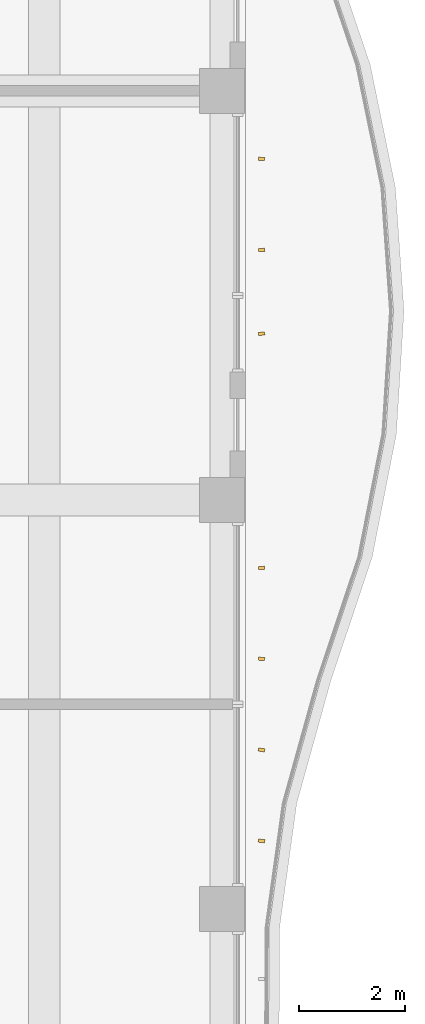
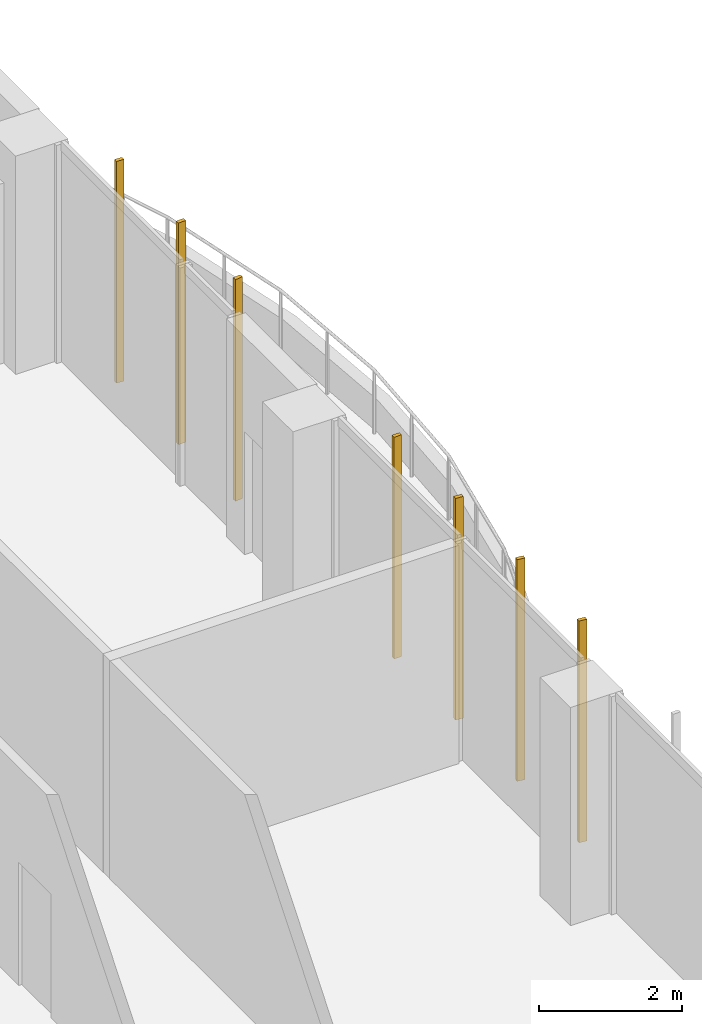
# One storey, part 25 of 27: 7 shading devices.
"""IFC4 building model written with IfcOpenShell, lengths in metres."""

import ifcopenshell
import ifcopenshell.guid

model = None  # the IFC model being written
_history = None  # IfcOwnerHistory: only IFC2X3 demands one
_inside = {}  # id of a spatial element -> (the spatial element, [elements in it])
_under = {}  # id of a project, library or spatial element -> (it, [spatial elements below it])
_declared = {}  # id of a project -> (the project, [libraries it declares])
_typed = {}  # id of a type object -> (the type object, [elements of that type])
_made_of = {}  # id of a material, layer set ... -> (it, [elements and type objects made of it])


def new_model(schema):
    """Start an empty IFC model of exactly this schema.

    Asked for "IFC4X3", IfcOpenShell would pick the latest addendum, in which some entities
    have other attributes; the version numbers below select the first issue.
    IFC2X3 requires an IfcOwnerHistory on every rooted entity: one is made here for all.
    """
    global model, _history
    if schema == "IFC4X3":
        model = ifcopenshell.file(schema_version=(4, 3, 0, 0))
    else:
        model = ifcopenshell.file(schema=schema)
    _inside.clear()
    _under.clear()
    _declared.clear()
    _typed.clear()
    _made_of.clear()
    _history = None
    if model.schema == "IFC2X3":
        org = make("IfcOrganization", Name="unknown")
        user = make(
            "IfcPersonAndOrganization",
            ThePerson=make("IfcPerson", FamilyName="unknown"),
            TheOrganization=org,
        )
        app = make(
            "IfcApplication",
            ApplicationDeveloper=org,
            Version="unknown",
            ApplicationFullName="unknown",
            ApplicationIdentifier="unknown",
        )
        _history = make(
            "IfcOwnerHistory",
            OwningUser=user,
            OwningApplication=app,
            ChangeAction="ADDED",
            CreationDate=0,
        )
    return model


def make(cls, **values):
    """One entity of the class cls with the attributes given. An attribute that is None is left unset."""
    return model.create_entity(
        cls, **{name: value for name, value in values.items() if value is not None}
    )


def rooted(cls, **values):
    """An entity with a GlobalId (a new one), such as an element, a storey or a relation."""
    return make(cls, GlobalId=ifcopenshell.guid.new(), OwnerHistory=_history, **values)


def si_unit(unit_type, name, prefix=None):
    """IfcSIUnit, for example si_unit("LENGTHUNIT", "METRE", prefix="MILLI")."""
    return make("IfcSIUnit", UnitType=unit_type, Prefix=prefix, Name=name)


def assignment(units):
    """IfcUnitAssignment: the units of a project."""
    return None if units is None else make("IfcUnitAssignment", Units=units)


def point(xyz):
    """IfcCartesianPoint."""
    return None if xyz is None else make("IfcCartesianPoint", Coordinates=xyz)


def direction(xyz):
    """IfcDirection."""
    return None if xyz is None else make("IfcDirection", DirectionRatios=xyz)


def frame(location, z_axis=None, x_axis=None):
    """IfcAxis2Placement3D, a coordinate frame: its origin and axes. An axis left out is left unset."""
    return make(
        "IfcAxis2Placement3D",
        Location=point(location),
        Axis=direction(z_axis),
        RefDirection=direction(x_axis),
    )


def frame_2d(location, x_axis=None):
    """IfcAxis2Placement2D, a coordinate frame in the plane: its origin and x axis."""
    return make(
        "IfcAxis2Placement2D", Location=point(location), RefDirection=direction(x_axis)
    )


def origin():
    """The frame at (0, 0, 0) with its axes left unset."""
    return frame((0.0, 0.0, 0.0))


def origin_2d():
    """The frame at (0, 0) in the plane with its x axis left unset."""
    return frame_2d((0.0, 0.0))


def place(relative_to, where):
    """IfcLocalPlacement: puts the frame where relative to a parent placement (None: the world)."""
    return make(
        "IfcLocalPlacement", PlacementRelTo=relative_to, RelativePlacement=where
    )


def context(
    kind, dimensions, precision=None, world=None, true_north=None, identifier=None
):
    """IfcGeometricRepresentationContext, for example the 3D "Model" context."""
    return make(
        "IfcGeometricRepresentationContext",
        ContextIdentifier=identifier,
        ContextType=kind,
        CoordinateSpaceDimension=dimensions,
        Precision=precision,
        WorldCoordinateSystem=world,
        TrueNorth=true_north,
    )


def subcontext(parent, identifier, kind, view, scale=None):
    """IfcGeometricRepresentationSubContext, for example "Body" below "Model"."""
    return make(
        "IfcGeometricRepresentationSubContext",
        ContextIdentifier=identifier,
        ContextType=kind,
        ParentContext=parent,
        TargetScale=scale,
        TargetView=view,
    )


def project(units=None, contexts=None):
    """IfcProject with its units and contexts."""
    return rooted(
        "IfcProject",
        Name="project",
        RepresentationContexts=contexts,
        UnitsInContext=assignment(units),
    )


def spatial(cls, under=None, at=None, **own):
    """A site, building, storey or space (cls), placed at a placement, below another one or the project."""
    s = rooted(cls, ObjectPlacement=at, **own)
    if under is not None:
        _under.setdefault(under.id(), (under, []))[1].append(s)
    return s


def profile(cls, at=None, kind="AREA", **sizes):
    """A parametric profile (cls). Its sizes go by their IFC names, for example OverallWidth=200.0."""
    return make(cls, ProfileType=kind, Position=at, **sizes)


def rectangle(**sizes):
    """IfcRectangleProfileDef."""
    return profile("IfcRectangleProfileDef", **sizes)


def extrude(swept, where, along, depth):
    """IfcExtrudedAreaSolid: the profile swept, set in the frame where, extruded along a direction by depth."""
    return make(
        "IfcExtrudedAreaSolid",
        SweptArea=swept,
        Position=where,
        ExtrudedDirection=direction(along),
        Depth=depth,
    )


def shape(context_of_items, identifier, shape_type, items):
    """IfcShapeRepresentation: the items that make up one representation, for example the "Body"."""
    return make(
        "IfcShapeRepresentation",
        ContextOfItems=context_of_items,
        RepresentationIdentifier=identifier,
        RepresentationType=shape_type,
        Items=items,
    )


def source(mapping_origin, context_of_items, identifier, shape_type, items):
    """IfcRepresentationMap: a shape defined once, which mapped items show again and again."""
    return make(
        "IfcRepresentationMap",
        MappingOrigin=mapping_origin,
        MappedRepresentation=shape(context_of_items, identifier, shape_type, items),
    )


def transform(
    local_origin,
    x_axis=None,
    y_axis=None,
    z_axis=None,
    scale=None,
    scale2=None,
    scale3=None,
    uniform=True,
):
    """IfcCartesianTransformationOperator3D, or its non-uniform kind. x_axis, y_axis, z_axis: its Axis1, 2, 3."""
    if uniform:
        return make(
            "IfcCartesianTransformationOperator3D",
            Axis1=direction(x_axis),
            Axis2=direction(y_axis),
            LocalOrigin=point(local_origin),
            Scale=scale,
            Axis3=direction(z_axis),
        )
    return make(
        "IfcCartesianTransformationOperator3DnonUniform",
        Axis1=direction(x_axis),
        Axis2=direction(y_axis),
        LocalOrigin=point(local_origin),
        Scale=scale,
        Axis3=direction(z_axis),
        Scale2=scale2,
        Scale3=scale3,
    )


def mapped(mapping_source, mapping_target):
    """IfcMappedItem: shows the shape of a source again, moved by a transform."""
    return make(
        "IfcMappedItem", MappingSource=mapping_source, MappingTarget=mapping_target
    )


def material(Name=None, Category=None):
    """IfcMaterial."""
    return make("IfcMaterial", Name=Name, Category=Category)


def material_profile(
    of_material, cross_section, Name=None, Category=None, Priority=None
):
    """IfcMaterialProfile: a cross section and its material."""
    return make(
        "IfcMaterialProfile",
        Name=Name,
        Material=of_material,
        Profile=cross_section,
        Priority=Priority,
        Category=Category,
    )


def profile_set(profiles, Name=None, composite=None):
    """IfcMaterialProfileSet."""
    return make(
        "IfcMaterialProfileSet",
        Name=Name,
        MaterialProfiles=profiles,
        CompositeProfile=composite,
    )


def made_of(thing, what):
    """Note that an element or type object is made of a material, layer set ...; save() writes the relation."""
    if what is not None:
        _made_of.setdefault(what.id(), (what, []))[1].append(thing)
    return thing


def type_object(cls, material=None, **own):
    """A type object (cls), such as IfcWallType, which elements share."""
    return made_of(rooted(cls, **own), material)


def element(
    cls,
    number,
    at=None,
    inside=None,
    cuts=None,
    type_object=None,
    material=None,
    context=None,
    identifier="Body",
    shape_type=None,
    held_by="IfcProductDefinitionShape",
    body=None,
    shapes=None,
    **own,
):
    """One element of the class cls, such as IfcWall. Its Tag is "e" and its number.

    at: its placement. inside: the storey or other place that contains it. cuts: it is an
    opening in that element (IfcRelVoidsElement). A single representation is given by context,
    identifier, shape_type and body (its items); several are given by shapes. held_by: the class
    of the entity that holds the representations. save() writes the other relations.
    """
    e = rooted(cls, Tag="e%d" % number, ObjectPlacement=at, **own)
    if body is not None:
        shapes = [shape(context, identifier, shape_type, body)]
    if shapes is not None:
        e.Representation = make(held_by, Representations=shapes)
    if inside is not None:
        _inside.setdefault(inside.id(), (inside, []))[1].append(e)
    if cuts is not None:
        rooted(
            "IfcRelVoidsElement", RelatingBuildingElement=cuts, RelatedOpeningElement=e
        )
    if type_object is not None:
        _typed.setdefault(type_object.id(), (type_object, []))[1].append(e)
    return made_of(e, material)


def aggregate(whole, parts):
    """IfcRelAggregates: a whole, such as a stair, and the parts it consists of."""
    return rooted("IfcRelAggregates", RelatingObject=whole, RelatedObjects=parts)


def save(model, path):
    """Write the relations noted so far, then the file.

    IfcRelAggregates (storeys below a building ...), IfcRelContainedInSpatialStructure (elements
    in a storey), IfcRelDefinesByType, IfcRelAssociatesMaterial and IfcRelDeclares: one each for
    every whole, place, type object, material and project.
    """
    for whole, parts in _under.values():
        aggregate(whole, parts)
    for where, things in _inside.values():
        rooted(
            "IfcRelContainedInSpatialStructure",
            RelatedElements=things,
            RelatingStructure=where,
        )
    for kind, things in _typed.values():
        rooted("IfcRelDefinesByType", RelatedObjects=things, RelatingType=kind)
    for what, things in _made_of.values():
        rooted("IfcRelAssociatesMaterial", RelatedObjects=things, RelatingMaterial=what)
    for by, libraries in _declared.values():
        rooted("IfcRelDeclares", RelatingContext=by, RelatedDefinitions=libraries)
    model.write(path)


model = new_model("IFC4")

# Units and contexts
model_context = context("Model", 3, precision=1e-05, world=origin(), true_north=direction((0.0, 1.0)))
body_context = subcontext(model_context, "Body", "Model", "MODEL_VIEW")
ifc_project = project(units=[si_unit("LENGTHUNIT", "METRE"), si_unit("AREAUNIT", "SQUARE_METRE"), si_unit("VOLUMEUNIT", "CUBIC_METRE"), si_unit("PLANEANGLEUNIT", "RADIAN"), si_unit("MASSUNIT", "GRAM", prefix="KILO")], contexts=[model_context])

# Site, building, storey
site_placement = place(None, origin())
site = spatial("IfcSite", under=ifc_project, at=site_placement, CompositionType="ELEMENT")
building_placement = place(site_placement, origin())
building = spatial("IfcBuilding", under=site, at=building_placement, Name="Kilnfold Tower and Market Hall", CompositionType="ELEMENT")
storey_placement = place(building_placement, frame((0.0, 0.0, 112.60009765625)))
storey = spatial("IfcBuildingStorey", under=building, at=storey_placement, Name="L26", CompositionType="ELEMENT", Elevation=112.60009765625)

# Shading devices
ifc_material = material(Name="Terracotta", Category="masonry")
ifc_material_profile = material_profile(ifc_material, rectangle(XDim=0.06005859375, YDim=0.1201171875, at=origin_2d()), Name="BAG 60x120")
ifc_profile_set = profile_set([ifc_material_profile], Name="Terracotta")
shading_device_type = type_object("IfcShadingDeviceType", Name="BAGUETTE", PredefinedType="USERDEFINED", material=ifc_profile_set)
shared_shape = source(origin(), body_context, "Body", "SweptSolid", [
    extrude(rectangle(XDim=0.06005859375, YDim=0.1201171875, at=origin_2d()), origin(), (0.0, 0.0, 1.0), 3.77978515625),
])
for number, where, z_axis, x_axis, name in (
    (1, (33.300048828125, -6.21240234375, 0.0), (0.0, 0.0, 1.0), (0.110985006841, 0.993822080785, 0.0), "Terracotta baguette L26 E"),
    (2, (33.300048828125, -4.487548828125, 0.0), (0.0, 0.0, 1.0), (0.138096260695, 0.990418811807, 0.0), "Terracotta baguette L26 E"),
    (3, (33.300048828125, -2.762451171875, 0.0), (0.0, 0.0, 1.0), (0.086787134988, 0.996226878377, 0.0), "Terracotta baguette L26 E"),
    (4, (33.300048828125, -1.03759765625, 0.0), (0.0, 0.0, 1.0), (-0.014278053439, 0.999898063399, 0.0), "Terracotta baguette L26 E"),
    (5, (33.300048828125, 3.39990234375, 0.0), (0.0, 0.0, 1.0), (-0.120654896293, 0.99269451293, 0.0), "Terracotta baguette L26 E"),
    (6, (33.300048828125, 4.987548828125, 0.0), (0.0, 0.0, 1.0), (-0.045906963535, 0.998945719596, 0.0), "Terracotta baguette L26 E"),
    (7, (33.300048828125, 6.71240234375, 0.0), (0.0, 0.0, 1.0), (0.05931508486, 0.99823931034, 0.0), "Terracotta baguette L26 E"),
):
    element("IfcShadingDevice", number, at=place(storey_placement, frame(where, z_axis=z_axis, x_axis=x_axis)), inside=storey, type_object=shading_device_type, Name=name, ObjectType="BAGUETTE", PredefinedType="USERDEFINED", context=body_context, shape_type="MappedRepresentation", body=[
        mapped(shared_shape, transform((0.0, 0.0, 0.0))),
    ])

save(model, "model.ifc")
